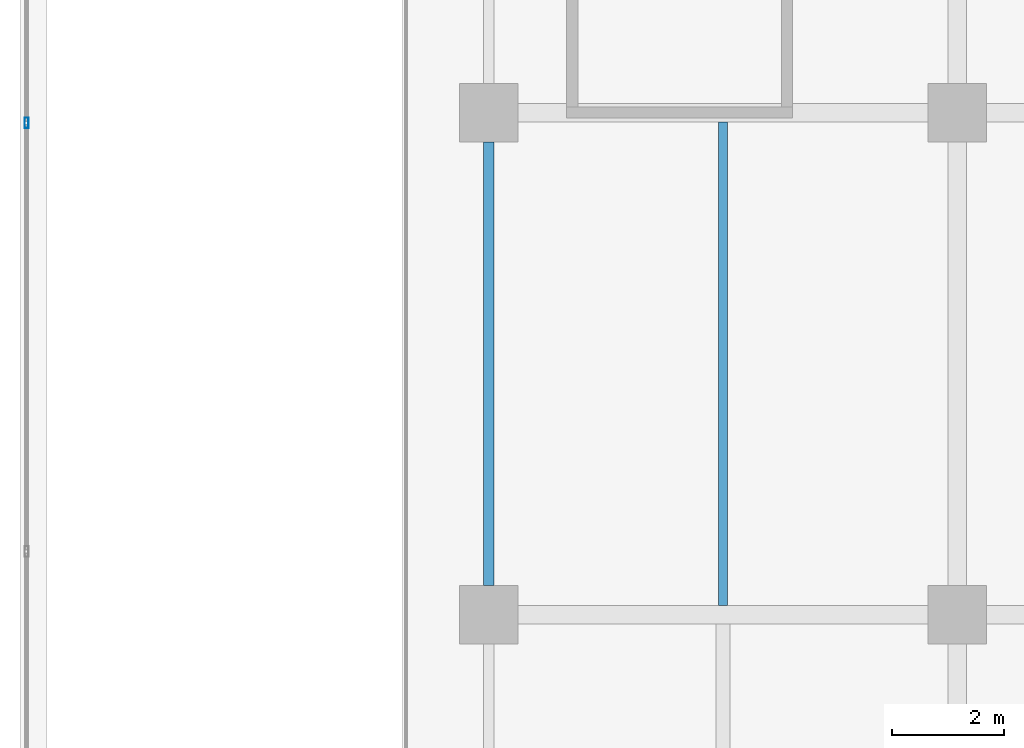
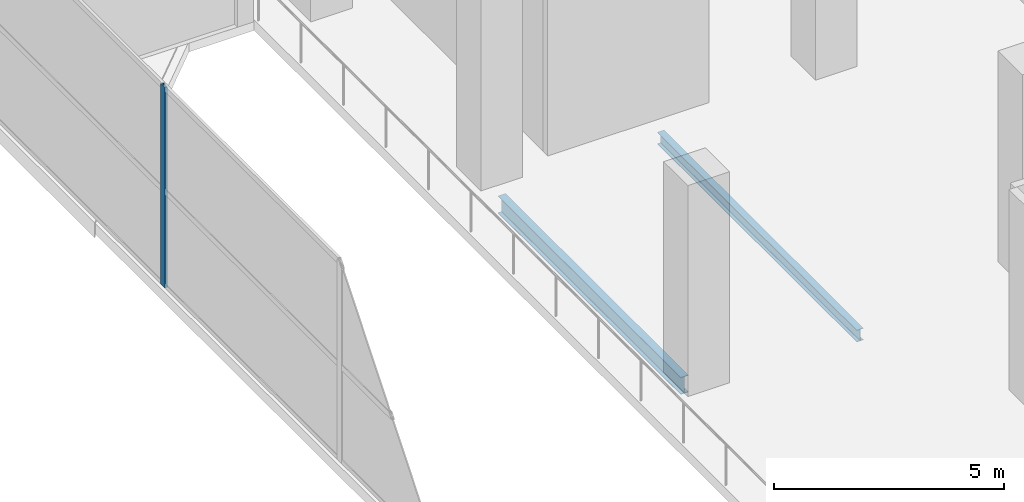
# One storey, part 19 of 35: 2 beams, 1 member, 1 element without a shape of its own.
"""IFC4 building model written with IfcOpenShell, lengths in metres."""

from ifc_helpers import new_model, si_unit, direction, frame, origin, origin_2d, place, context, subcontext, project, spatial, hollow_rectangle, i_section, extrude, material, layer, layer_set, material_profile, profile_set, type_object, element, aggregate, save


model = new_model("IFC4")

# Units and contexts
model_context = context("Model", 3, precision=1e-05, world=origin(), true_north=direction((0.0, 1.0)))
body_context = subcontext(model_context, "Body", "Model", "MODEL_VIEW")
ifc_project = project(units=[si_unit("LENGTHUNIT", "METRE"), si_unit("AREAUNIT", "SQUARE_METRE"), si_unit("VOLUMEUNIT", "CUBIC_METRE"), si_unit("PLANEANGLEUNIT", "RADIAN"), si_unit("MASSUNIT", "GRAM", prefix="KILO")], contexts=[model_context])

# Site, building, storey
site_placement = place(None, origin())
site = spatial("IfcSite", under=ifc_project, at=site_placement, CompositionType="ELEMENT")
building_placement = place(site_placement, origin())
building = spatial("IfcBuilding", under=site, at=building_placement, Name="Maruvema Waterfront Hotel and Observation Tower", CompositionType="ELEMENT")
storey_placement = place(building_placement, origin())
storey = spatial("IfcBuildingStorey", under=building, at=storey_placement, Name="L00", CompositionType="ELEMENT", Elevation=0.0)

# Beam
ifc_material_1 = material(Name="Steel ASTM A572 Grade 50", Category="steel")
ifc_material_profile_1 = material_profile(ifc_material_1, i_section(OverallWidth=0.18994140625, OverallDepth=0.45703125, WebThickness=0.009033203125, FlangeThickness=0.014404296875, FilletRadius=0.014892578125, at=origin_2d()), Name="W460x74.0")
ifc_profile_set_1 = profile_set([ifc_material_profile_1], Name="Steel ASTM A572 Grade 50")
beam_type_1 = type_object("IfcBeamType", Name="Perimeter Spandrel Beam W460x74.0", PredefinedType="SPANDREL", material=ifc_profile_set_1)
beam_1_placement = place(storey_placement, frame((8.39990234375, 36.52490234375, -0.508544921875), z_axis=(0.0, 1.0, 0.0), x_axis=(-1.0, 0.0, 0.0)))
element("IfcBeam", 1, at=beam_1_placement, inside=storey, type_object=beam_type_1, Name="L00 Floor Girder NS-05", PredefinedType="SPANDREL", context=body_context, shape_type="SweptSolid", body=[
    extrude(i_section(OverallWidth=0.18994140625, OverallDepth=0.45703125, WebThickness=0.009033203125, FlangeThickness=0.014404296875, FilletRadius=0.014892578125, at=origin_2d()), origin(), (0.0, 0.0, 1.0), 7.9501953125),
])

# Curtain wall, member
ifc_material_2 = material(Name="Anodised bronze aluminium and solar-control low-E IGU", Category="aluminium")
ifc_layer = layer(ifc_material_2, 0.159912109375, Name="Podium Waterfront Storefront Curtain Wall System CW-01")
ifc_layer_set = layer_set([ifc_layer], Name="Anodised bronze aluminium and solar-control low-E IGU")
curtain_wall_type = type_object("IfcCurtainWallType", Name="Podium Waterfront Storefront Curtain Wall System CW-01", PredefinedType="USERDEFINED", material=ifc_layer_set)
curtain_wall_placement = place(storey_placement, origin())
curtain_wall = element("IfcCurtainWall", 2, at=curtain_wall_placement, inside=storey, type_object=curtain_wall_type, Name="L00 Curtain Wall CW-L00-W", ObjectType="UNITISED CURTAIN WALL", PredefinedType="USERDEFINED")
ifc_material_3 = material(Name="Anodised architectural bronze aluminium", Category="aluminium")
ifc_material_profile_2 = material_profile(ifc_material_3, hollow_rectangle(XDim=0.070068359375, YDim=0.18994140625, WallThickness=0.00390625, at=origin_2d()), Name="ALU-M70x190")
ifc_profile_set_2 = profile_set([ifc_material_profile_2], Name="Anodised architectural bronze aluminium")
member_type = type_object("IfcMemberType", Name="Podium Storefront Heavy Mullion ALU-M70x190", PredefinedType="MULLION", material=ifc_profile_set_2)
member_placement = place(storey_placement, frame((0.1201171875, 44.816650390625, 0.0), z_axis=(0.0, 0.0, 1.0), x_axis=(1.0, 0.0, 0.0)))
member = element("IfcMember", 3, at=member_placement, type_object=member_type, Name="CW-01 mullion 2", PredefinedType="MULLION", context=body_context, shape_type="SweptSolid", body=[
    extrude(hollow_rectangle(XDim=0.070068359375, YDim=0.18994140625, WallThickness=0.00390625, at=origin_2d()), origin(), (0.0, 0.0, 1.0), 5.320068359375),
])
aggregate(curtain_wall, [member])

# Beam
ifc_material_4 = material(Name="Steel ASTM A572 Grade 50", Category="steel")
ifc_material_profile_3 = material_profile(ifc_material_4, i_section(OverallWidth=0.1669921875, OverallDepth=0.31689453125, WebThickness=0.007568359375, FlangeThickness=0.01318359375, FilletRadius=0.012939453125, at=origin_2d()), Name="W310x52.0")
ifc_profile_set_3 = profile_set([ifc_material_profile_3], Name="Steel ASTM A572 Grade 50")
beam_type_2 = type_object("IfcBeamType", Name="Secondary Floor Joist W310x52.0", PredefinedType="JOIST", material=ifc_profile_set_3)
beam_2_placement = place(storey_placement, frame((12.60009765625, 36.16455078125, -0.4384765625), z_axis=(0.0, 1.0, 0.0), x_axis=(-1.0, 0.0, 0.0)))
element("IfcBeam", 4, at=beam_2_placement, inside=storey, type_object=beam_type_2, Name="L00 Secondary Floor Joist JS-04", PredefinedType="JOIST", context=body_context, shape_type="SweptSolid", body=[
    extrude(i_section(OverallWidth=0.1669921875, OverallDepth=0.31689453125, WebThickness=0.007568359375, FlangeThickness=0.01318359375, FilletRadius=0.012939453125, at=origin_2d()), origin(), (0.0, 0.0, 1.0), 8.6708984375),
])

save(model, "model.ifc")
